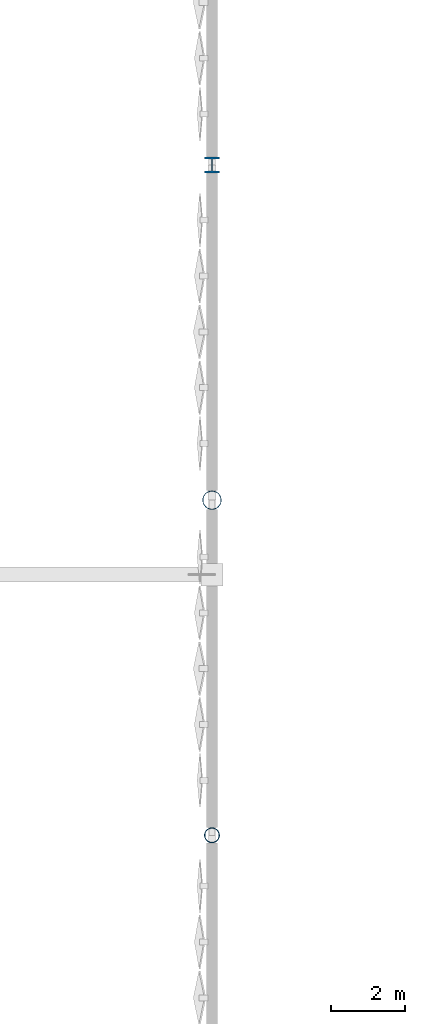
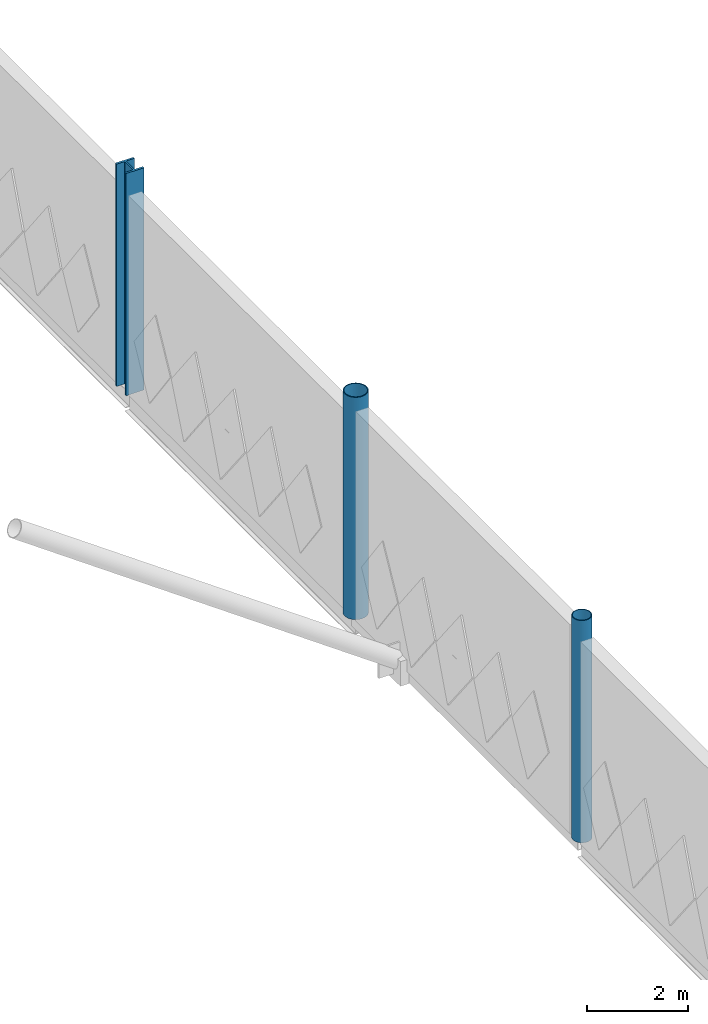
# One storey, part 2 of 119: 3 columns.
"""IFC4 building model written with IfcOpenShell, lengths in metres."""

from ifc_helpers import new_model, si_unit, direction, frame, origin, origin_2d, place, context, subcontext, project, spatial, hollow_circle, i_section, extrude, material, material_profile, profile_set, type_object, element, save


model = new_model("IFC4")

# Units and contexts
model_context = context("Model", 3, precision=1e-05, world=origin(), true_north=direction((0.0, 1.0)))
body_context = subcontext(model_context, "Body", "Model", "MODEL_VIEW")
ifc_project = project(units=[si_unit("LENGTHUNIT", "METRE"), si_unit("AREAUNIT", "SQUARE_METRE"), si_unit("VOLUMEUNIT", "CUBIC_METRE"), si_unit("PLANEANGLEUNIT", "RADIAN"), si_unit("MASSUNIT", "GRAM", prefix="KILO")], contexts=[model_context])

# Site, building, storey
site_placement = place(None, origin())
site = spatial("IfcSite", under=ifc_project, at=site_placement, CompositionType="ELEMENT")
building_placement = place(site_placement, origin())
building = spatial("IfcBuilding", under=site, at=building_placement, Name="Qamarlyn Nura Convention Centre", CompositionType="ELEMENT")
storey_placement = place(building_placement, frame((0.0, 0.0, 5.39990234375)))
storey = spatial("IfcBuildingStorey", under=building, at=storey_placement, Name="L01", CompositionType="ELEMENT", Elevation=5.39990234375)

# Columns
ifc_material_1 = material(Name="Pearl-white PVDF steel ASTM A500 Grade C", Category="steel")
ifc_material_profile_1 = material_profile(ifc_material_1, hollow_circle(Radius=0.25390625, WallThickness=0.02001953125, at=origin_2d()), Name="CHS508X20")
ifc_profile_set_1 = profile_set([ifc_material_profile_1], Name="Pearl-white PVDF steel ASTM A500 Grade C")
column_type_1 = type_object("IfcColumnType", Name="COL-HALL-1", PredefinedType="COLUMN", material=ifc_profile_set_1)
column_1_placement = place(storey_placement, frame((0.0, 54.0, 0.0), z_axis=(0.0, 0.0, 1.0), x_axis=(1.0, 0.0, 0.0)))
element("IfcColumn", 1, at=column_1_placement, inside=storey, type_object=column_type_1, Name="L01 column 1/G", PredefinedType="COLUMN", context=body_context, shape_type="SweptSolid", body=[
    extrude(hollow_circle(Radius=0.25390625, WallThickness=0.02001953125, at=origin_2d()), origin(), (0.0, 0.0, 1.0), 5.400146484375),
])
ifc_material_2 = material(Name="Steel ASTM A992", Category="steel")
ifc_material_profile_2 = material_profile(ifc_material_2, i_section(OverallWidth=0.408935546875, OverallDepth=0.425048828125, WebThickness=0.030517578125, FlangeThickness=0.049072265625, FilletRadius=0.02001953125, at=origin_2d()), Name="W360X421")
ifc_profile_set_2 = profile_set([ifc_material_profile_2], Name="Steel ASTM A992")
column_type_2 = type_object("IfcColumnType", Name="COL-MEGA-1", PredefinedType="COLUMN", material=ifc_profile_set_2)
column_2_placement = place(storey_placement, frame((0.0, 63.0, 0.0), z_axis=(0.0, 0.0, 1.0), x_axis=(1.0, 0.0, 0.0)))
element("IfcColumn", 2, at=column_2_placement, inside=storey, type_object=column_type_2, Name="L01 column 1/H", PredefinedType="COLUMN", context=body_context, shape_type="SweptSolid", body=[
    extrude(i_section(OverallWidth=0.408935546875, OverallDepth=0.425048828125, WebThickness=0.030517578125, FlangeThickness=0.049072265625, FilletRadius=0.02001953125, at=origin_2d()), origin(), (0.0, 0.0, 1.0), 5.400146484375),
])
ifc_material_profile_3 = material_profile(ifc_material_1, hollow_circle(Radius=0.203125, WallThickness=0.01611328125, at=origin_2d()), Name="CHS406.4X16")
ifc_profile_set_3 = profile_set([ifc_material_profile_3], Name="Pearl-white PVDF steel ASTM A500 Grade C")
column_type_3 = type_object("IfcColumnType", Name="COL-TUBE-1", PredefinedType="COLUMN", material=ifc_profile_set_3)
column_3_placement = place(storey_placement, frame((0.0, 45.0, 0.0), z_axis=(0.0, 0.0, 1.0), x_axis=(1.0, 0.0, 0.0)))
element("IfcColumn", 3, at=column_3_placement, inside=storey, type_object=column_type_3, Name="L01 column 1/F", PredefinedType="COLUMN", context=body_context, shape_type="SweptSolid", body=[
    extrude(hollow_circle(Radius=0.203125, WallThickness=0.01611328125, at=origin_2d()), origin(), (0.0, 0.0, 1.0), 5.400146484375),
])

save(model, "model.ifc")
